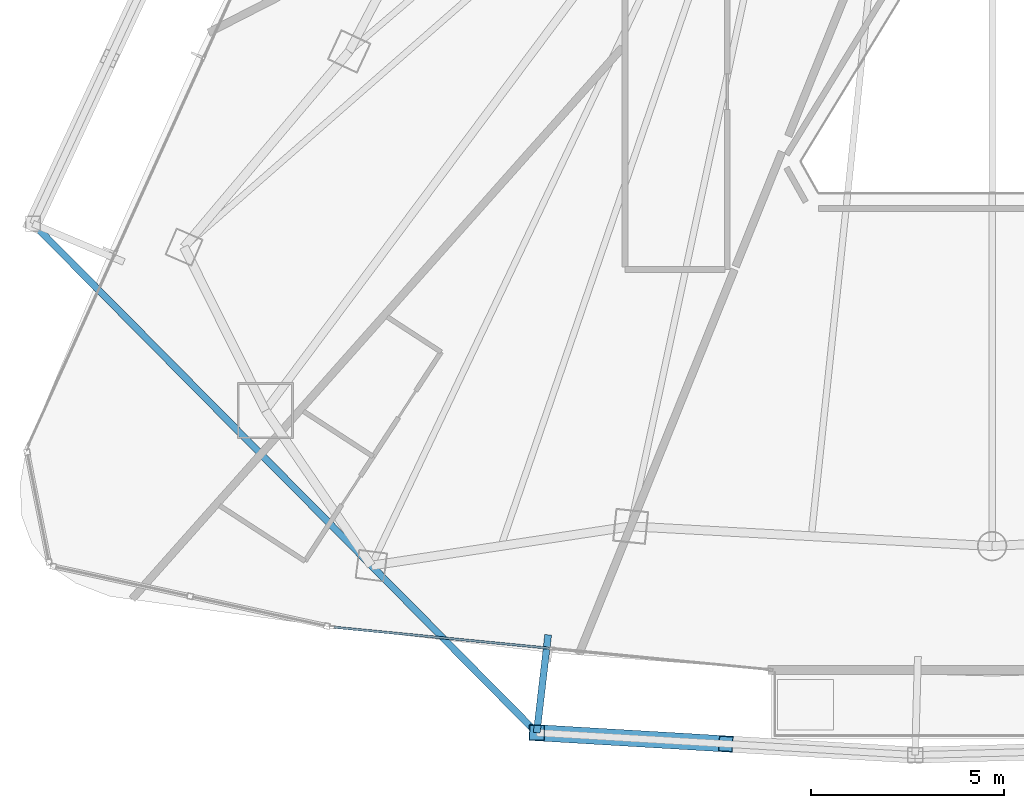
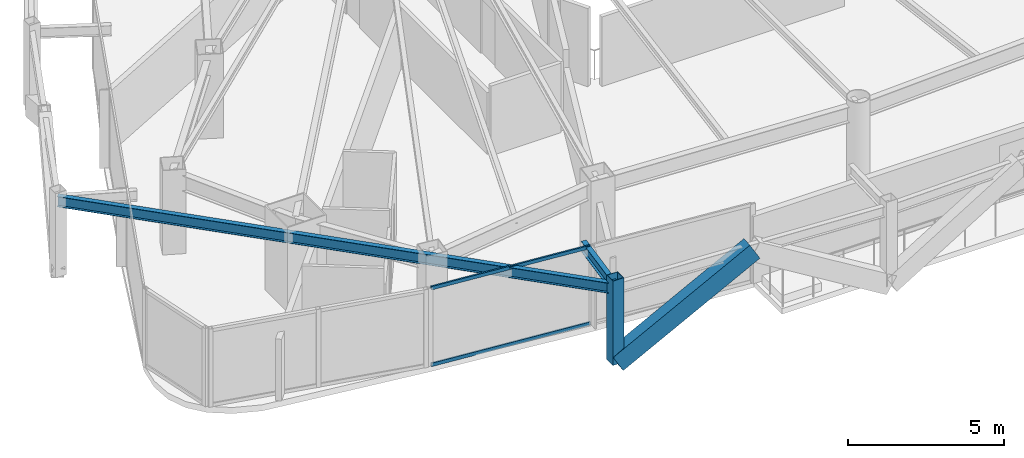
# One storey, part 3 of 31: 4 members, 2 beams, 1 element without a shape of its own.
"""IFC4 building model written with IfcOpenShell, lengths in metres."""

from ifc_helpers import new_model, si_unit, direction, frame, origin, origin_2d, place, context, subcontext, project, spatial, hollow_rectangle, i_section, extrude, material, layer, layer_set, material_profile, profile_set, type_object, element, aggregate, save


model = new_model("IFC4")

# Units and contexts
model_context = context("Model", 3, precision=1e-05, world=origin(), true_north=direction((0.0, 1.0)))
body_context = subcontext(model_context, "Body", "Model", "MODEL_VIEW")
ifc_project = project(units=[si_unit("LENGTHUNIT", "METRE"), si_unit("AREAUNIT", "SQUARE_METRE"), si_unit("VOLUMEUNIT", "CUBIC_METRE"), si_unit("PLANEANGLEUNIT", "RADIAN"), si_unit("MASSUNIT", "GRAM", prefix="KILO")], contexts=[model_context])

# Site, building, storey
site_placement = place(None, origin())
site = spatial("IfcSite", under=ifc_project, at=site_placement, CompositionType="ELEMENT")
building_placement = place(site_placement, origin())
building = spatial("IfcBuilding", under=site, at=building_placement, Name="Orvanel Arch Residences", CompositionType="ELEMENT")
storey_placement = place(building_placement, frame((0.0, 0.0, 150.64990234375)))
storey = spatial("IfcBuildingStorey", under=building, at=storey_placement, Name="L42", CompositionType="ELEMENT", Elevation=150.64990234375)

# Member
ifc_material_1 = material(Name="Structural steel AS/NZS 3678 Grade 350", Category="steel")
ifc_material_profile_1 = material_profile(ifc_material_1, hollow_rectangle(XDim=0.419921875, YDim=0.719970703125, WallThickness=0.02490234375, at=origin_2d()), Name="RHS720x420x25")
ifc_profile_set_1 = profile_set([ifc_material_profile_1], Name="Structural steel AS/NZS 3678 Grade 350")
member_type_1 = type_object("IfcMemberType", Name="BR-720RHS-EXT", PredefinedType="BRACE", material=ifc_profile_set_1)
member_1_placement = place(storey_placement, frame((21.218994140625, 2.01611328125, 0.0), z_axis=(0.862523518764, -0.050934057168, 0.503447019456), x_axis=(0.058949674398, 0.998260955807, 0.0)))
element("IfcMember", 1, at=member_1_placement, inside=storey, type_object=member_type_1, Name="L42 Exterior Sky-Garden V-Frame Chevron F2B1.1", PredefinedType="BRACE", context=body_context, shape_type="SweptSolid", body=[
    extrude(hollow_rectangle(XDim=0.419921875, YDim=0.719970703125, WallThickness=0.02490234375, at=origin_2d()), origin(), (0.0, 0.0, 1.0), 5.67529296875),
])

# Beams
ifc_material_2 = material(Name="Structural steel AS/NZS 3679.1 Grade 300 (300 MPa)", Category="steel")
ifc_material_profile_2 = material_profile(ifc_material_2, i_section(OverallWidth=0.177978515625, OverallDepth=0.406005859375, WebThickness=0.0078125, FlangeThickness=0.0126953125, at=origin_2d()), Name="410UB59.7")
ifc_profile_set_2 = profile_set([ifc_material_profile_2], Name="Structural steel AS/NZS 3679.1 Grade 300 (300 MPa)")
beam_type = type_object("IfcBeamType", Name="OB-410UB-EXT", PredefinedType="SPANDREL", material=ifc_profile_set_2)
beam_1_placement = place(storey_placement, frame((8.18701171875, 15.18505859375, 2.857177734375), z_axis=(0.703400836433, -0.710793404095, 0.0), x_axis=(0.710793404095, 0.703400836433, 0.0)))
element("IfcBeam", 2, at=beam_1_placement, inside=storey, type_object=beam_type, Name="L42 Outer Perimeter Floor Ring Beam 04", PredefinedType="SPANDREL", context=body_context, shape_type="SweptSolid", body=[
    extrude(i_section(OverallWidth=0.177978515625, OverallDepth=0.406005859375, WebThickness=0.0078125, FlangeThickness=0.0126953125, at=origin_2d()), origin(), (0.0, 0.0, 1.0), 18.527099609375),
])
beam_2_placement = place(storey_placement, frame((21.514892578125, 4.549072265625, 2.857177734375), z_axis=(-0.116030242446, -0.993245681006, 0.0), x_axis=(0.993245681006, -0.116030242446, 0.0)))
element("IfcBeam", 3, at=beam_2_placement, inside=storey, type_object=beam_type, Name="L42 Outer Frame Radial Tie Beam 05", PredefinedType="SPANDREL", context=body_context, shape_type="SweptSolid", body=[
    extrude(i_section(OverallWidth=0.177978515625, OverallDepth=0.406005859375, WebThickness=0.0078125, FlangeThickness=0.0126953125, at=origin_2d()), origin(), (0.0, 0.0, 1.0), 2.55029296875),
])

# Member
ifc_material_3 = material(Name="Structural steel AS/NZS 1163 C450L0 (Grade 450)", Category="steel")
ifc_material_profile_3 = material_profile(ifc_material_3, hollow_rectangle(XDim=0.39990234375, YDim=0.39990234375, WallThickness=0.01611328125, at=origin_2d()), Name="SHS400x400x16")
ifc_profile_set_3 = profile_set([ifc_material_profile_3], Name="Structural steel AS/NZS 1163 C450L0 (Grade 450)")
member_type_2 = type_object("IfcMemberType", Name="ST-400SHS-EXT", PredefinedType="STRUT", material=ifc_profile_set_3)
member_2_placement = place(storey_placement, frame((21.218994140625, 2.01611328125, 0.0), z_axis=(0.0, 0.0, 1.0), x_axis=(1.0, 0.0, 0.0)))
element("IfcMember", 4, at=member_2_placement, inside=storey, type_object=member_type_2, Name="L42 Outer Perimeter Frame Post 05", PredefinedType="STRUT", context=body_context, shape_type="SweptSolid", body=[
    extrude(hollow_rectangle(XDim=0.39990234375, YDim=0.39990234375, WallThickness=0.01611328125, at=origin_2d()), origin(), (0.0, 0.0, 1.0), 3.300048828125),
])

# Curtain wall, members
ifc_material_4 = material(Name="Bronze-anodised aluminium AA6063-T6", Category="aluminium")
ifc_layer = layer(ifc_material_4, 0.179931640625)
ifc_layer_set = layer_set([ifc_layer], Name="Bronze-anodised aluminium AA6063-T6")
curtain_wall_type = type_object("IfcCurtainWallType", Name="CW3-MID-SYS", PredefinedType="NOTDEFINED", material=ifc_layer_set)
curtain_wall_placement = place(storey_placement, origin())
curtain_wall = element("IfcCurtainWall", 5, at=curtain_wall_placement, inside=storey, type_object=curtain_wall_type, Name="L42 CW3-MID-SYS Unitised Curtain Wall", PredefinedType="NOTDEFINED")
ifc_material_profile_4 = material_profile(ifc_material_4, hollow_rectangle(XDim=0.06005859375, YDim=0.135009765625, WallThickness=0.00390625, at=origin_2d()), Name="ALU135x60x4")
ifc_profile_set_4 = profile_set([ifc_material_profile_4], Name="Bronze-anodised aluminium AA6063-T6")
member_type_3 = type_object("IfcMemberType", Name="TRN-135x60", PredefinedType="USERDEFINED", material=ifc_profile_set_4)
member_3_placement = place(storey_placement, frame((15.9765625, 4.7451171875, 0.030029296875), z_axis=(0.995278225692, -0.097063141629, 0.0), x_axis=(0.097063141629, 0.995278225692, 0.0)))
member_3 = element("IfcMember", 6, at=member_3_placement, type_object=member_type_3, Name="CW-S3 transom 1.1", ObjectType="TRANSOM", PredefinedType="USERDEFINED", context=body_context, shape_type="SweptSolid", body=[
    extrude(hollow_rectangle(XDim=0.06005859375, YDim=0.135009765625, WallThickness=0.00390625, at=origin_2d()), origin(), (0.0, 0.0, 1.0), 5.6064453125),
])
member_4_placement = place(storey_placement, frame((15.9765625, 4.7451171875, 3.030029296875), z_axis=(0.995278225692, -0.097063141629, 0.0), x_axis=(0.097063141629, 0.995278225692, 0.0)))
member_4 = element("IfcMember", 7, at=member_4_placement, type_object=member_type_3, Name="CW-S3 transom 1.2", ObjectType="TRANSOM", PredefinedType="USERDEFINED", context=body_context, shape_type="SweptSolid", body=[
    extrude(hollow_rectangle(XDim=0.06005859375, YDim=0.135009765625, WallThickness=0.00390625, at=origin_2d()), origin(), (0.0, 0.0, 1.0), 5.6064453125),
])
aggregate(curtain_wall, [member_3, member_4])

save(model, "model.ifc")
